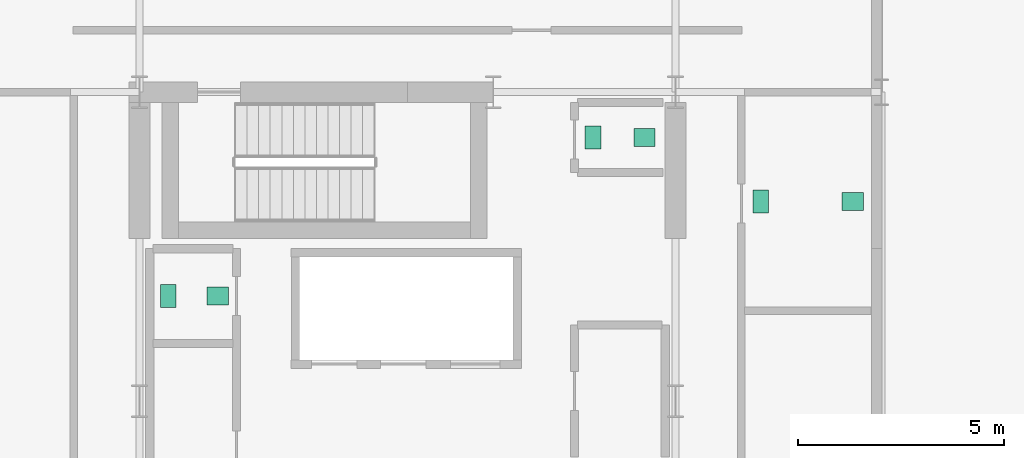
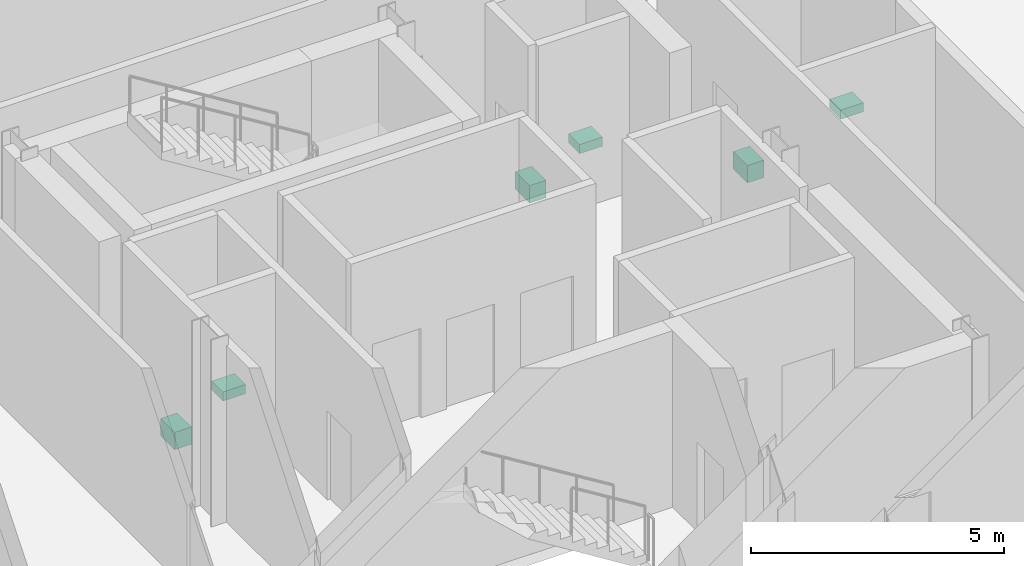
# One storey, part 9 of 9: 6 sanitary terminals.
"""IFC4 building model written with IfcOpenShell, lengths in metres."""

import ifcopenshell
import ifcopenshell.guid

model = None  # the IFC model being written
_history = None  # IfcOwnerHistory: only IFC2X3 demands one
_inside = {}  # id of a spatial element -> (the spatial element, [elements in it])
_under = {}  # id of a project, library or spatial element -> (it, [spatial elements below it])
_declared = {}  # id of a project -> (the project, [libraries it declares])
_typed = {}  # id of a type object -> (the type object, [elements of that type])
_made_of = {}  # id of a material, layer set ... -> (it, [elements and type objects made of it])


def new_model(schema):
    """Start an empty IFC model of exactly this schema.

    Asked for "IFC4X3", IfcOpenShell would pick the latest addendum, in which some entities
    have other attributes; the version numbers below select the first issue.
    IFC2X3 requires an IfcOwnerHistory on every rooted entity: one is made here for all.
    """
    global model, _history
    if schema == "IFC4X3":
        model = ifcopenshell.file(schema_version=(4, 3, 0, 0))
    else:
        model = ifcopenshell.file(schema=schema)
    _inside.clear()
    _under.clear()
    _declared.clear()
    _typed.clear()
    _made_of.clear()
    _history = None
    if model.schema == "IFC2X3":
        org = make("IfcOrganization", Name="unknown")
        user = make(
            "IfcPersonAndOrganization",
            ThePerson=make("IfcPerson", FamilyName="unknown"),
            TheOrganization=org,
        )
        app = make(
            "IfcApplication",
            ApplicationDeveloper=org,
            Version="unknown",
            ApplicationFullName="unknown",
            ApplicationIdentifier="unknown",
        )
        _history = make(
            "IfcOwnerHistory",
            OwningUser=user,
            OwningApplication=app,
            ChangeAction="ADDED",
            CreationDate=0,
        )
    return model


def make(cls, **values):
    """One entity of the class cls with the attributes given. An attribute that is None is left unset."""
    return model.create_entity(
        cls, **{name: value for name, value in values.items() if value is not None}
    )


def rooted(cls, **values):
    """An entity with a GlobalId (a new one), such as an element, a storey or a relation."""
    return make(cls, GlobalId=ifcopenshell.guid.new(), OwnerHistory=_history, **values)


def si_unit(unit_type, name, prefix=None):
    """IfcSIUnit, for example si_unit("LENGTHUNIT", "METRE", prefix="MILLI")."""
    return make("IfcSIUnit", UnitType=unit_type, Prefix=prefix, Name=name)


def assignment(units):
    """IfcUnitAssignment: the units of a project."""
    return None if units is None else make("IfcUnitAssignment", Units=units)


def point(xyz):
    """IfcCartesianPoint."""
    return None if xyz is None else make("IfcCartesianPoint", Coordinates=xyz)


def direction(xyz):
    """IfcDirection."""
    return None if xyz is None else make("IfcDirection", DirectionRatios=xyz)


def frame(location, z_axis=None, x_axis=None):
    """IfcAxis2Placement3D, a coordinate frame: its origin and axes. An axis left out is left unset."""
    return make(
        "IfcAxis2Placement3D",
        Location=point(location),
        Axis=direction(z_axis),
        RefDirection=direction(x_axis),
    )


def frame_2d(location, x_axis=None):
    """IfcAxis2Placement2D, a coordinate frame in the plane: its origin and x axis."""
    return make(
        "IfcAxis2Placement2D", Location=point(location), RefDirection=direction(x_axis)
    )


def origin():
    """The frame at (0, 0, 0) with its axes left unset."""
    return frame((0.0, 0.0, 0.0))


def origin_2d():
    """The frame at (0, 0) in the plane with its x axis left unset."""
    return frame_2d((0.0, 0.0))


def place(relative_to, where):
    """IfcLocalPlacement: puts the frame where relative to a parent placement (None: the world)."""
    return make(
        "IfcLocalPlacement", PlacementRelTo=relative_to, RelativePlacement=where
    )


def context(
    kind, dimensions, precision=None, world=None, true_north=None, identifier=None
):
    """IfcGeometricRepresentationContext, for example the 3D "Model" context."""
    return make(
        "IfcGeometricRepresentationContext",
        ContextIdentifier=identifier,
        ContextType=kind,
        CoordinateSpaceDimension=dimensions,
        Precision=precision,
        WorldCoordinateSystem=world,
        TrueNorth=true_north,
    )


def subcontext(parent, identifier, kind, view, scale=None):
    """IfcGeometricRepresentationSubContext, for example "Body" below "Model"."""
    return make(
        "IfcGeometricRepresentationSubContext",
        ContextIdentifier=identifier,
        ContextType=kind,
        ParentContext=parent,
        TargetScale=scale,
        TargetView=view,
    )


def project(units=None, contexts=None):
    """IfcProject with its units and contexts."""
    return rooted(
        "IfcProject",
        Name="project",
        RepresentationContexts=contexts,
        UnitsInContext=assignment(units),
    )


def spatial(cls, under=None, at=None, **own):
    """A site, building, storey or space (cls), placed at a placement, below another one or the project."""
    s = rooted(cls, ObjectPlacement=at, **own)
    if under is not None:
        _under.setdefault(under.id(), (under, []))[1].append(s)
    return s


def profile(cls, at=None, kind="AREA", **sizes):
    """A parametric profile (cls). Its sizes go by their IFC names, for example OverallWidth=200.0."""
    return make(cls, ProfileType=kind, Position=at, **sizes)


def rectangle(**sizes):
    """IfcRectangleProfileDef."""
    return profile("IfcRectangleProfileDef", **sizes)


def extrude(swept, where, along, depth):
    """IfcExtrudedAreaSolid: the profile swept, set in the frame where, extruded along a direction by depth."""
    return make(
        "IfcExtrudedAreaSolid",
        SweptArea=swept,
        Position=where,
        ExtrudedDirection=direction(along),
        Depth=depth,
    )


def shape(context_of_items, identifier, shape_type, items):
    """IfcShapeRepresentation: the items that make up one representation, for example the "Body"."""
    return make(
        "IfcShapeRepresentation",
        ContextOfItems=context_of_items,
        RepresentationIdentifier=identifier,
        RepresentationType=shape_type,
        Items=items,
    )


def material(Name=None, Category=None):
    """IfcMaterial."""
    return make("IfcMaterial", Name=Name, Category=Category)


def made_of(thing, what):
    """Note that an element or type object is made of a material, layer set ...; save() writes the relation."""
    if what is not None:
        _made_of.setdefault(what.id(), (what, []))[1].append(thing)
    return thing


def type_object(cls, material=None, **own):
    """A type object (cls), such as IfcWallType, which elements share."""
    return made_of(rooted(cls, **own), material)


def element(
    cls,
    number,
    at=None,
    inside=None,
    cuts=None,
    type_object=None,
    material=None,
    context=None,
    identifier="Body",
    shape_type=None,
    held_by="IfcProductDefinitionShape",
    body=None,
    shapes=None,
    **own,
):
    """One element of the class cls, such as IfcWall. Its Tag is "e" and its number.

    at: its placement. inside: the storey or other place that contains it. cuts: it is an
    opening in that element (IfcRelVoidsElement). A single representation is given by context,
    identifier, shape_type and body (its items); several are given by shapes. held_by: the class
    of the entity that holds the representations. save() writes the other relations.
    """
    e = rooted(cls, Tag="e%d" % number, ObjectPlacement=at, **own)
    if body is not None:
        shapes = [shape(context, identifier, shape_type, body)]
    if shapes is not None:
        e.Representation = make(held_by, Representations=shapes)
    if inside is not None:
        _inside.setdefault(inside.id(), (inside, []))[1].append(e)
    if cuts is not None:
        rooted(
            "IfcRelVoidsElement", RelatingBuildingElement=cuts, RelatedOpeningElement=e
        )
    if type_object is not None:
        _typed.setdefault(type_object.id(), (type_object, []))[1].append(e)
    return made_of(e, material)


def aggregate(whole, parts):
    """IfcRelAggregates: a whole, such as a stair, and the parts it consists of."""
    return rooted("IfcRelAggregates", RelatingObject=whole, RelatedObjects=parts)


def save(model, path):
    """Write the relations noted so far, then the file.

    IfcRelAggregates (storeys below a building ...), IfcRelContainedInSpatialStructure (elements
    in a storey), IfcRelDefinesByType, IfcRelAssociatesMaterial and IfcRelDeclares: one each for
    every whole, place, type object, material and project.
    """
    for whole, parts in _under.values():
        aggregate(whole, parts)
    for where, things in _inside.values():
        rooted(
            "IfcRelContainedInSpatialStructure",
            RelatedElements=things,
            RelatingStructure=where,
        )
    for kind, things in _typed.values():
        rooted("IfcRelDefinesByType", RelatedObjects=things, RelatingType=kind)
    for what, things in _made_of.values():
        rooted("IfcRelAssociatesMaterial", RelatedObjects=things, RelatingMaterial=what)
    for by, libraries in _declared.values():
        rooted("IfcRelDeclares", RelatingContext=by, RelatedDefinitions=libraries)
    model.write(path)


model = new_model("IFC4")

# Units and contexts
model_context = context("Model", 3, precision=1e-05, world=origin(), true_north=direction((0.0, 1.0)))
body_context = subcontext(model_context, "Body", "Model", "MODEL_VIEW")
ifc_project = project(units=[si_unit("LENGTHUNIT", "METRE"), si_unit("AREAUNIT", "SQUARE_METRE"), si_unit("VOLUMEUNIT", "CUBIC_METRE"), si_unit("PLANEANGLEUNIT", "RADIAN"), si_unit("MASSUNIT", "GRAM", prefix="KILO")], contexts=[model_context])

# Site, building, storey
site_placement = place(None, origin())
site = spatial("IfcSite", under=ifc_project, at=site_placement, CompositionType="ELEMENT")
building_placement = place(site_placement, origin())
building = spatial("IfcBuilding", under=site, at=building_placement, Name="Barlavira Tower and Art Museum", CompositionType="ELEMENT")
storey_placement = place(building_placement, frame((0.0, 0.0, 309.89990234375)))
storey = spatial("IfcBuildingStorey", under=building, at=storey_placement, Name="L81", CompositionType="ELEMENT", Elevation=309.89990234375)

# Sanitary terminals
ifc_material = material(Name="Vitreous glazed ceramic", Category="ceramic")
sanitary_terminal_type_1 = type_object("IfcSanitaryTerminalType", Name="Countertop Ceramic Wash Hand Basin", PredefinedType="WASHHANDBASIN", material=ifc_material)
for number, where, z_axis, x_axis, name in (
    (1, (-4.60009765625, 2.550048828125, 0.740234375), (0.0, 0.0, 1.0), (1.0, 0.0, 0.0), "L81-C-REC1W Wash Basin"),
    (2, (5.75, 6.39990234375, 0.740234375), (0.0, 0.0, 1.0), (1.0, 0.0, 0.0), "L81-C-AWC4 Wash Basin"),
    (3, (10.800048828125, 4.85009765625, 0.740234375), (0.0, 0.0, 1.0), (1.0, 0.0, 0.0), "L81-WG-AWC Wash Basin"),
):
    element("IfcSanitaryTerminal", number, at=place(storey_placement, frame(where, z_axis=z_axis, x_axis=x_axis)), inside=storey, type_object=sanitary_terminal_type_1, Name=name, PredefinedType="WASHHANDBASIN", context=body_context, shape_type="SweptSolid", body=[
        extrude(rectangle(XDim=0.52001953125, YDim=0.43994140625, at=origin_2d()), origin(), (0.0, 0.0, 1.0), 0.219970703125),
    ])
sanitary_terminal_type_2 = type_object("IfcSanitaryTerminalType", Name="Wall-Hung Dual-Flush Vitreous WC Pan", PredefinedType="TOILETPAN", material=ifc_material)
for number, where, z_axis, x_axis, name in (
    (4, (-5.800048828125, 2.550048828125, 0.000244140625), (0.0, 0.0, 1.0), (1.0, 0.0, 0.0), "L81-C-REC1W WC Pan"),
    (5, (4.5, 6.39990234375, 0.000244140625), (0.0, 0.0, 1.0), (1.0, 0.0, 0.0), "L81-C-AWC4 WC Pan"),
    (6, (8.570068359375, 4.85009765625, 0.000244140625), (0.0, 0.0, 1.0), (1.0, 0.0, 0.0), "L81-WG-AWC WC Pan"),
):
    element("IfcSanitaryTerminal", number, at=place(storey_placement, frame(where, z_axis=z_axis, x_axis=x_axis)), inside=storey, type_object=sanitary_terminal_type_2, Name=name, PredefinedType="TOILETPAN", context=body_context, shape_type="SweptSolid", body=[
        extrude(rectangle(XDim=0.3798828125, YDim=0.56005859375, at=origin_2d()), origin(), (0.0, 0.0, 1.0), 0.419921875),
    ])

save(model, "model.ifc")
